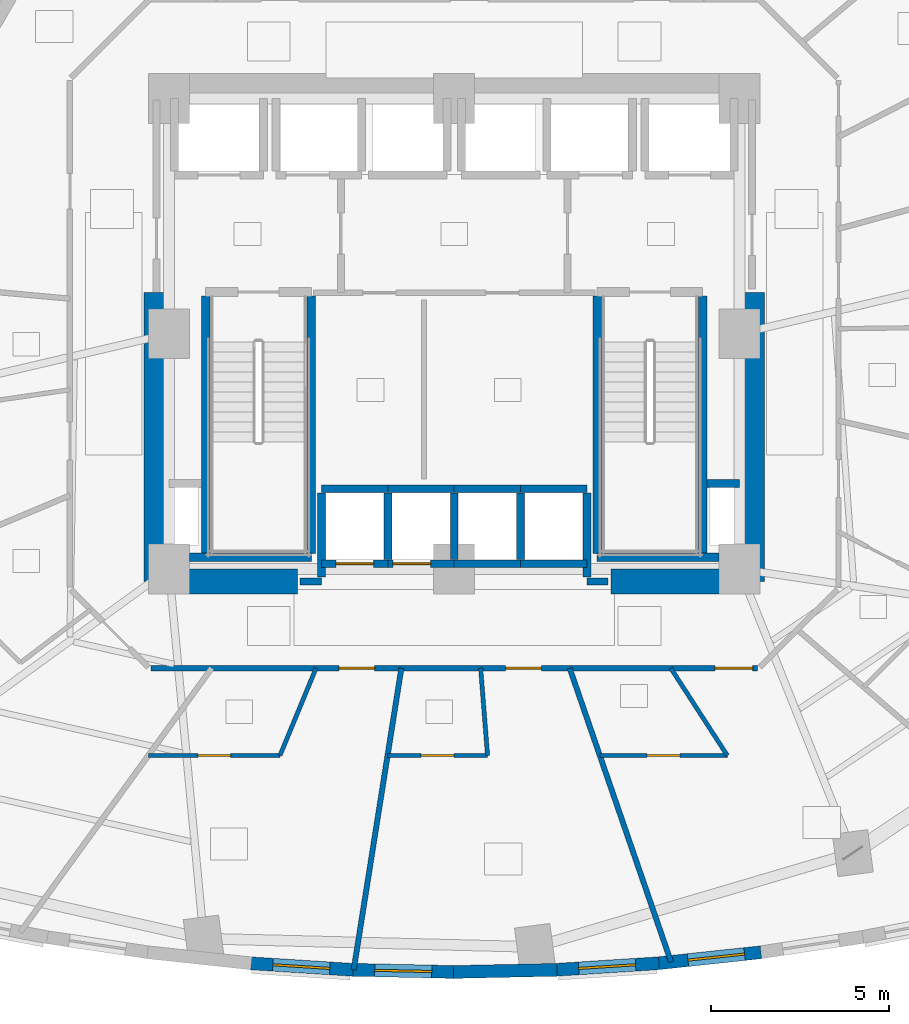
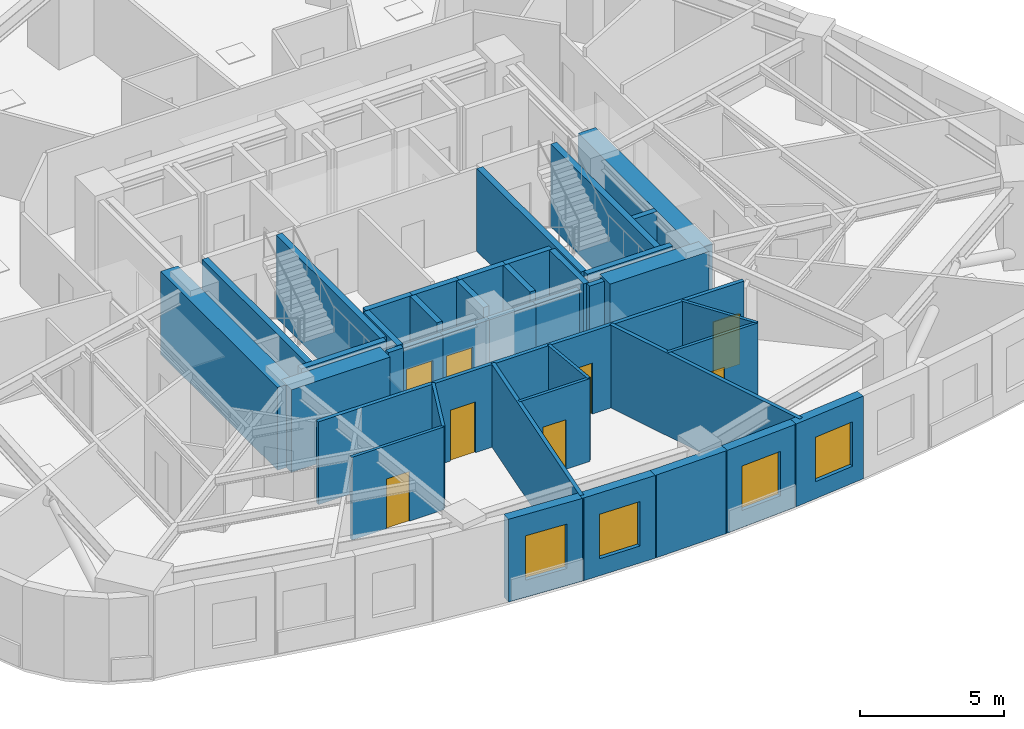
# One storey, part 6 of 13: 40 walls, 8 doors, 4 windows, 12 openings.
"""IFC4 building model written with IfcOpenShell, lengths in metres."""

from ifc_helpers import new_model, si_unit, direction, frame, frame_2d, origin, place, context, subcontext, project, spatial, rectangle, extrude, material, layer, layer_set, type_object, element, fill, save


model = new_model("IFC4")

# Units and contexts
model_context = context("Model", 3, precision=1e-05, world=origin(), true_north=direction((0.0, 1.0)))
body_context = subcontext(model_context, "Body", "Model", "MODEL_VIEW")
ifc_project = project(units=[si_unit("LENGTHUNIT", "METRE"), si_unit("AREAUNIT", "SQUARE_METRE"), si_unit("VOLUMEUNIT", "CUBIC_METRE"), si_unit("PLANEANGLEUNIT", "RADIAN"), si_unit("MASSUNIT", "GRAM", prefix="KILO")], contexts=[model_context])

# Site, building, storey
site_placement = place(None, origin())
site = spatial("IfcSite", under=ifc_project, at=site_placement, CompositionType="ELEMENT")
building_placement = place(site_placement, origin())
building = spatial("IfcBuilding", under=site, at=building_placement, Name="Ndelora Gate Hotel", CompositionType="ELEMENT")
storey_placement = place(building_placement, frame((0.0, 0.0, 34.25)))
storey = spatial("IfcBuildingStorey", under=building, at=storey_placement, Name="L07", CompositionType="ELEMENT", Elevation=34.25)

# Wall, opening, window
ifc_material_1 = material(Name="Clay Brick Masonry", Category="masonry")
ifc_layer_1 = layer(ifc_material_1, 0.360107421875)
ifc_layer_set_1 = layer_set([ifc_layer_1], Name="Clay Brick Masonry")
wall_type_1 = type_object("IfcWallType", Name="WL-BRICK-360", PredefinedType="SOLIDWALL", material=ifc_layer_set_1)
wall_1_placement = place(storey_placement, frame((-2.833984375, -17.844482421875, 0.0), z_axis=(0.0, 0.0, 1.0), x_axis=(-0.997950575381, 0.063989445203, 0.0)))
wall_1 = element("IfcWall", 1, at=wall_1_placement, inside=storey, type_object=wall_type_1, Name="L07 Tower Brick Pier-and-Spandrel Wall TWR-31", PredefinedType="SOLIDWALL", context=body_context, shape_type="SweptSolid", body=[
    extrude(rectangle(XDim=2.914794921875, YDim=0.360107421875, at=frame_2d((1.45751953125, 0.0))), origin(), (0.0, 0.0, 1.0), 3.5),
])
opening_1_placement = place(wall_1_placement, frame((0.657470703125, 0.0, 0.719970703125)))
opening_1 = element("IfcOpeningElement", 2, at=opening_1_placement, cuts=wall_1, Name="Opening W01", PredefinedType="OPENING", context=body_context, shape_type="SweptSolid", body=[
    extrude(rectangle(XDim=1.60009765625, YDim=1.8798828125, at=frame_2d((0.800048828125, 0.93994140625))), frame((0.0, 0.18994140625, 0.0), z_axis=(0.0, -1.0, 0.0), x_axis=(1.0, 0.0, 0.0)), (0.0, 0.0, 1.0), 0.380126953125),
])
ifc_material_2 = material(Name="Insulated Low-E Double Glazing in Bronze Aluminium Frame", Category="aluminium")
window_type = type_object("IfcWindowType", Name="WN-DEEP-1600", PartitioningType="SINGLE_PANEL", PredefinedType="WINDOW", material=ifc_material_2)
window_1_placement = place(opening_1_placement, origin())
window_1 = element("IfcWindow", 3, at=window_1_placement, inside=storey, type_object=window_type, Name="L07 Deep-Set Brick-Pier Window W01", OverallHeight=1.8798828125, OverallWidth=1.60009765625, PartitioningType="SINGLE_PANEL", PredefinedType="WINDOW", context=body_context, shape_type="SweptSolid", body=[
    extrude(rectangle(XDim=1.60009765625, YDim=1.8798828125, at=frame_2d((0.800048828125, 0.93994140625))), frame((0.0, 0.030029296875, 0.0), z_axis=(0.0, -1.0, 0.0), x_axis=(1.0, 0.0, 0.0)), (0.0, 0.0, 1.0), 0.06005859375),
])
fill(opening_1, window_1)

wall_2_placement = place(storey_placement, frame((0.02490234375, -17.904296875, 0.0), z_axis=(0.0, 0.0, 1.0), x_axis=(-0.999772855956, 0.021312824625, 0.0)))
wall_2 = element("IfcWall", 4, at=wall_2_placement, inside=storey, type_object=wall_type_1, Name="L07 Tower Brick Pier-and-Spandrel Wall TWR-32", PredefinedType="SOLIDWALL", context=body_context, shape_type="SweptSolid", body=[
    extrude(rectangle(XDim=2.90966796875, YDim=0.360107421875, at=frame_2d((1.454833984375, 0.0))), origin(), (0.0, 0.0, 1.0), 3.5),
])
opening_2_placement = place(wall_2_placement, frame((0.65478515625, 0.0, 0.719970703125)))
opening_2 = element("IfcOpeningElement", 5, at=opening_2_placement, cuts=wall_2, Name="Opening W01", PredefinedType="OPENING", context=body_context, shape_type="SweptSolid", body=[
    extrude(rectangle(XDim=1.60009765625, YDim=1.8798828125, at=frame_2d((0.800048828125, 0.93994140625))), frame((0.0, 0.18994140625, 0.0), z_axis=(0.0, -1.0, 0.0), x_axis=(1.0, 0.0, 0.0)), (0.0, 0.0, 1.0), 0.380126953125),
])
window_2_placement = place(opening_2_placement, origin())
window_2 = element("IfcWindow", 6, at=window_2_placement, inside=storey, type_object=window_type, Name="L07 Deep-Set Brick-Pier Window W01", OverallHeight=1.8798828125, OverallWidth=1.60009765625, PartitioningType="SINGLE_PANEL", PredefinedType="WINDOW", context=body_context, shape_type="SweptSolid", body=[
    extrude(rectangle(XDim=1.60009765625, YDim=1.8798828125, at=frame_2d((0.800048828125, 0.93994140625))), frame((0.0, 0.030029296875, 0.0), z_axis=(0.0, -1.0, 0.0), x_axis=(1.0, 0.0, 0.0)), (0.0, 0.0, 1.0), 0.06005859375),
])
fill(opening_2, window_2)

# Wall
wall_3_placement = place(storey_placement, frame((2.884033203125, -17.84228515625, 0.0), z_axis=(0.0, 0.0, 1.0), x_axis=(-0.999772855956, -0.021312824625, 0.0)))
element("IfcWall", 7, at=wall_3_placement, inside=storey, type_object=wall_type_1, Name="L07 Tower Brick Pier-and-Spandrel Wall TWR-33", PredefinedType="SOLIDWALL", context=body_context, shape_type="SweptSolid", body=[
    extrude(rectangle(XDim=2.90966796875, YDim=0.360107421875, at=frame_2d((1.454833984375, 0.0))), origin(), (0.0, 0.0, 1.0), 3.5),
])

# Wall, opening, window
wall_4_placement = place(storey_placement, frame((5.742919921875, -17.657958984375, 0.0), z_axis=(0.0, 0.0, 1.0), x_axis=(-0.997950575381, -0.063989445203, 0.0)))
wall_4 = element("IfcWall", 8, at=wall_4_placement, inside=storey, type_object=wall_type_1, Name="L07 Tower Brick Pier-and-Spandrel Wall TWR-34", PredefinedType="SOLIDWALL", context=body_context, shape_type="SweptSolid", body=[
    extrude(rectangle(XDim=2.914794921875, YDim=0.360107421875, at=frame_2d((1.45751953125, 0.0))), origin(), (0.0, 0.0, 1.0), 3.5),
])
opening_3_placement = place(wall_4_placement, frame((0.657470703125, 0.0, 0.719970703125)))
opening_3 = element("IfcOpeningElement", 9, at=opening_3_placement, cuts=wall_4, Name="Opening W01", PredefinedType="OPENING", context=body_context, shape_type="SweptSolid", body=[
    extrude(rectangle(XDim=1.60009765625, YDim=1.8798828125, at=frame_2d((0.800048828125, 0.93994140625))), frame((0.0, 0.18994140625, 0.0), z_axis=(0.0, -1.0, 0.0), x_axis=(1.0, 0.0, 0.0)), (0.0, 0.0, 1.0), 0.380126953125),
])
window_3_placement = place(opening_3_placement, origin())
window_3 = element("IfcWindow", 10, at=window_3_placement, inside=storey, type_object=window_type, Name="L07 Deep-Set Brick-Pier Window W01", OverallHeight=1.8798828125, OverallWidth=1.60009765625, PartitioningType="SINGLE_PANEL", PredefinedType="WINDOW", context=body_context, shape_type="SweptSolid", body=[
    extrude(rectangle(XDim=1.60009765625, YDim=1.8798828125, at=frame_2d((0.800048828125, 0.93994140625))), frame((0.0, 0.030029296875, 0.0), z_axis=(0.0, -1.0, 0.0), x_axis=(1.0, 0.0, 0.0)), (0.0, 0.0, 1.0), 0.06005859375),
])
fill(opening_3, window_3)

wall_5_placement = place(storey_placement, frame((8.60205078125, -17.351318359375, 0.0), z_axis=(0.0, 0.0, 1.0), x_axis=(-0.994340996166, -0.106235508864, 0.0)))
wall_5 = element("IfcWall", 11, at=wall_5_placement, inside=storey, type_object=wall_type_1, Name="L07 Tower Brick Pier-and-Spandrel Wall TWR-35", PredefinedType="SOLIDWALL", context=body_context, shape_type="SweptSolid", body=[
    extrude(rectangle(XDim=2.925537109375, YDim=0.360107421875, at=frame_2d((1.462890625, 0.0))), origin(), (0.0, 0.0, 1.0), 3.5),
])
opening_4_placement = place(wall_5_placement, frame((0.4599609375, 0.0, 0.719970703125)))
opening_4 = element("IfcOpeningElement", 12, at=opening_4_placement, cuts=wall_5, Name="Opening W01", PredefinedType="OPENING", context=body_context, shape_type="SweptSolid", body=[
    extrude(rectangle(XDim=1.60009765625, YDim=1.8798828125, at=frame_2d((0.800048828125, 0.93994140625))), frame((0.0, 0.18994140625, 0.0), z_axis=(0.0, -1.0, 0.0), x_axis=(1.0, 0.0, 0.0)), (0.0, 0.0, 1.0), 0.380126953125),
])
window_4_placement = place(opening_4_placement, origin())
window_4 = element("IfcWindow", 13, at=window_4_placement, inside=storey, type_object=window_type, Name="L07 Deep-Set Brick-Pier Window W01", OverallHeight=1.8798828125, OverallWidth=1.60009765625, PartitioningType="SINGLE_PANEL", PredefinedType="WINDOW", context=body_context, shape_type="SweptSolid", body=[
    extrude(rectangle(XDim=1.60009765625, YDim=1.8798828125, at=frame_2d((0.800048828125, 0.93994140625))), frame((0.0, 0.030029296875, 0.0), z_axis=(0.0, -1.0, 0.0), x_axis=(1.0, 0.0, 0.0)), (0.0, 0.0, 1.0), 0.06005859375),
])
fill(opening_4, window_4)

# Walls
ifc_material_3 = material(Name="Concrete C60/75", Category="concrete")
ifc_layer_2 = layer(ifc_material_3, 0.699951171875)
ifc_layer_set_2 = layer_set([ifc_layer_2], Name="Concrete C60/75")
wall_type_2 = type_object("IfcWallType", Name="WL-CORE-700", PredefinedType="SHEAR", material=ifc_layer_set_2)
for number, where, z_axis, x_axis, name in (
    (14, (-8.35009765625, -6.949951171875, 0.0), (0.0, 0.0, 1.0), (1.0, 0.0, 0.0), "L07 Core Shear Wall S-W"),
    (15, (4.39990234375, -6.949951171875, 0.0), (0.0, 0.0, 1.0), (1.0, 0.0, 0.0), "L07 Core Shear Wall S-E"),
):
    element("IfcWall", number, at=place(storey_placement, frame(where, z_axis=z_axis, x_axis=x_axis)), inside=storey, type_object=wall_type_2, Name=name, PredefinedType="SHEAR", context=body_context, shape_type="SweptSolid", body=[
        extrude(rectangle(XDim=3.9501953125, YDim=0.699951171875, at=frame_2d((1.97509765625, 0.0))), origin(), (0.0, 0.0, 1.0), 3.5),
    ])
for number, where, z_axis, x_axis, name in (
    (16, (-8.35009765625, -6.949951171875, 0.0), (0.0, 0.0, 1.0), (0.0, 1.0, 0.0), "L07 Core Shear Wall W"),
    (17, (8.35009765625, -6.949951171875, 0.0), (0.0, 0.0, 1.0), (0.0, 1.0, 0.0), "L07 Core Shear Wall E"),
):
    element("IfcWall", number, at=place(storey_placement, frame(where, z_axis=z_axis, x_axis=x_axis)), inside=storey, type_object=wall_type_2, Name=name, PredefinedType="SHEAR", context=body_context, shape_type="SweptSolid", body=[
        extrude(rectangle(XDim=8.099853515625, YDim=0.699951171875, at=frame_2d((4.0498046875, 0.0))), origin(), (0.0, 0.0, 1.0), 3.5),
    ])
ifc_material_4 = material(Name="Concrete C40/50", Category="concrete")
ifc_layer_3 = layer(ifc_material_4, 0.199951171875)
ifc_layer_set_3 = layer_set([ifc_layer_3], Name="Concrete C40/50")
wall_type_3 = type_object("IfcWallType", Name="WL-FIRE-200", PredefinedType="PARTITIONING", material=ifc_layer_set_3)
for number, where, z_axis, x_axis, name in (
    (18, (-4.320068359375, -6.949951171875, 0.0), (0.0, 0.0, 1.0), (1.0, 0.0, 0.0), "L07 Interior Wall IW-2"),
    (19, (3.719970703125, -6.949951171875, 0.0), (0.0, 0.0, 1.0), (1.0, 0.0, 0.0), "L07 Interior Wall IW-2"),
):
    element("IfcWall", number, at=place(storey_placement, frame(where, z_axis=z_axis, x_axis=x_axis)), inside=storey, type_object=wall_type_3, Name=name, PredefinedType="PARTITIONING", context=body_context, shape_type="SweptSolid", body=[
        extrude(rectangle(XDim=0.60009765625, YDim=0.199951171875, at=frame_2d((0.300048828125, 0.0))), origin(), (0.0, 0.0, 1.0), 3.5),
    ])

# Wall, openings, doors
ifc_material_5 = material(Name="Fire-Rated Gypsum Stud Partition", Category="gypsum")
ifc_layer_4 = layer(ifc_material_5, 0.14990234375)
ifc_layer_set_4 = layer_set([ifc_layer_4], Name="Fire-Rated Gypsum Stud Partition")
wall_type_4 = type_object("IfcWallType", Name="WL-PART-150", PredefinedType="PARTITIONING", material=ifc_layer_set_4)
wall_6_placement = place(storey_placement, frame((8.510009765625, -9.3798828125, 0.0), z_axis=(0.0, 0.0, 1.0), x_axis=(-1.0, 0.0, 0.0)))
wall_6 = element("IfcWall", 20, at=wall_6_placement, inside=storey, type_object=wall_type_4, Name="L07 Interior Wall IW-5", PredefinedType="PARTITIONING", context=body_context, shape_type="SweptSolid", body=[
    extrude(rectangle(XDim=17.02001953125, YDim=0.14990234375, at=frame_2d((8.510009765625, 0.0))), origin(), (0.0, 0.0, 1.0), 3.5),
])
opening_5_placement = place(wall_6_placement, frame((6.0654296875, 0.0, 0.0)))
opening_5 = element("IfcOpeningElement", 21, at=opening_5_placement, cuts=wall_6, Name="Opening D01", PredefinedType="OPENING", context=body_context, shape_type="SweptSolid", body=[
    extrude(rectangle(XDim=1.0, YDim=2.14990234375, at=frame_2d((0.5, 1.074951171875))), frame((0.0, 0.0849609375, 0.0), z_axis=(0.0, -1.0, 0.0), x_axis=(1.0, 0.0, 0.0)), (0.0, 0.0, 1.0), 0.169921875),
])
opening_6_placement = place(wall_6_placement, frame((10.745361328125, 0.0, 0.0)))
opening_6 = element("IfcOpeningElement", 22, at=opening_6_placement, cuts=wall_6, Name="Opening D01", PredefinedType="OPENING", context=body_context, shape_type="SweptSolid", body=[
    extrude(rectangle(XDim=1.0, YDim=2.14990234375, at=frame_2d((0.5, 1.074951171875))), frame((0.0, 0.0849609375, 0.0), z_axis=(0.0, -1.0, 0.0), x_axis=(1.0, 0.0, 0.0)), (0.0, 0.0, 1.0), 0.169921875),
])
opening_7_placement = place(wall_6_placement, frame((0.139892578125, 0.0, 0.0)))
opening_7 = element("IfcOpeningElement", 23, at=opening_7_placement, cuts=wall_6, Name="Opening D07", PredefinedType="OPENING", context=body_context, shape_type="SweptSolid", body=[
    extrude(rectangle(XDim=1.06005859375, YDim=2.14990234375, at=frame_2d((0.530029296875, 1.074951171875))), frame((0.0, 0.0849609375, 0.0), z_axis=(0.0, -1.0, 0.0), x_axis=(1.0, 0.0, 0.0)), (0.0, 0.0, 1.0), 0.169921875),
])
ifc_material_6 = material(Name="Acoustic Hardwood Guest Entrance Door", Category="wood")
door_type_1 = type_object("IfcDoorType", Name="DR-COR-1000", OperationType="SINGLE_SWING_LEFT", PredefinedType="DOOR", material=ifc_material_6)
door_1_placement = place(opening_5_placement, origin())
door_1 = element("IfcDoor", 24, at=door_1_placement, inside=storey, type_object=door_type_1, Name="L07 Executive King Guest Room 1007 Entrance Door", OperationType="SINGLE_SWING_LEFT", OverallHeight=2.14990234375, OverallWidth=1.0, PredefinedType="DOOR", context=body_context, shape_type="SweptSolid", body=[
    extrude(rectangle(XDim=1.0, YDim=2.14990234375, at=frame_2d((0.5, 1.074951171875))), frame((0.0, 0.02490234375, 0.0), z_axis=(0.0, -1.0, 0.0), x_axis=(1.0, 0.0, 0.0)), (0.0, 0.0, 1.0), 0.050048828125),
])
fill(opening_5, door_1)
door_2_placement = place(opening_6_placement, origin())
door_2 = element("IfcDoor", 25, at=door_2_placement, inside=storey, type_object=door_type_1, Name="L07 Superior Double Guest Room 1006 Entrance Door", OperationType="SINGLE_SWING_RIGHT", OverallHeight=2.14990234375, OverallWidth=1.0, PredefinedType="DOOR", context=body_context, shape_type="SweptSolid", body=[
    extrude(rectangle(XDim=1.0, YDim=2.14990234375, at=frame_2d((0.5, 1.074951171875))), frame((0.0, 0.02490234375, 0.0), z_axis=(0.0, -1.0, 0.0), x_axis=(1.0, 0.0, 0.0)), (0.0, 0.0, 1.0), 0.050048828125),
])
fill(opening_6, door_2)
ifc_material_7 = material(Name="Diplomatic Suite Acoustic Entrance Door", Category="wood")
door_type_2 = type_object("IfcDoorType", Name="DR-SUITE-1060", OperationType="SINGLE_SWING_LEFT", PredefinedType="DOOR", material=ifc_material_7)
door_3_placement = place(opening_7_placement, origin())
door_3 = element("IfcDoor", 26, at=door_3_placement, inside=storey, type_object=door_type_2, Name="L07 Corner Junior Suite 1008 Entrance Door", OperationType="SINGLE_SWING_LEFT", OverallHeight=2.14990234375, OverallWidth=1.06005859375, PredefinedType="DOOR", context=body_context, shape_type="SweptSolid", body=[
    extrude(rectangle(XDim=1.06005859375, YDim=2.14990234375, at=frame_2d((0.530029296875, 1.074951171875))), frame((0.0, 0.02490234375, 0.0), z_axis=(0.0, -1.0, 0.0), x_axis=(1.0, 0.0, 0.0)), (0.0, 0.0, 1.0), 0.050048828125),
])
fill(opening_7, door_3)

# Walls
wall_7_placement = place(storey_placement, frame((-1.482666015625, -9.3798828125, 0.0), z_axis=(0.0, 0.0, 1.0), x_axis=(-0.156108883171, -0.987739852692, 0.0)))
element("IfcWall", 27, at=wall_7_placement, inside=storey, type_object=wall_type_4, Name="L07 Interior Wall IW-5", PredefinedType="PARTITIONING", context=body_context, shape_type="SweptSolid", body=[
    extrude(rectangle(XDim=8.568603515625, YDim=0.14990234375, at=frame_2d((4.2841796875, 0.0))), origin(), (0.0, 0.0, 1.0), 3.5),
])
wall_8_placement = place(storey_placement, frame((3.237548828125, -9.3798828125, 0.0), z_axis=(0.0, 0.0, 1.0), x_axis=(0.326258220665, -0.945280685008, 0.0)))
element("IfcWall", 28, at=wall_8_placement, inside=storey, type_object=wall_type_4, Name="L07 Interior Wall IW-5", PredefinedType="PARTITIONING", context=body_context, shape_type="SweptSolid", body=[
    extrude(rectangle(XDim=8.7177734375, YDim=0.14990234375, at=frame_2d((4.35888671875, 0.0))), origin(), (0.0, 0.0, 1.0), 3.5),
])
ifc_layer_5 = layer(ifc_material_4, 0.219970703125)
ifc_layer_set_5 = layer_set([ifc_layer_5], Name="Concrete C40/50")
wall_type_5 = type_object("IfcWallType", Name="WL-SHAFT-220", PredefinedType="PARTITIONING", material=ifc_layer_set_5)
wall_9_placement = place(storey_placement, frame((7.090087890625, -4.199951171875, 0.0), z_axis=(0.0, 0.0, 1.0), x_axis=(1.0, 0.0, 0.0)))
element("IfcWall", 29, at=wall_9_placement, inside=storey, type_object=wall_type_5, Name="L07 Interior Wall IW-1", PredefinedType="PARTITIONING", context=body_context, shape_type="SweptSolid", body=[
    extrude(rectangle(XDim=0.909912109375, YDim=0.219970703125, at=frame_2d((0.455078125, 0.0))), origin(), (0.0, 0.0, 1.0), 3.5),
])

# Wall, opening, door
wall_10_placement = place(storey_placement, frame((-3.719970703125, -6.449951171875, 0.0), z_axis=(0.0, 0.0, 1.0), x_axis=(1.0, 0.0, 0.0)))
wall_10 = element("IfcWall", 30, at=wall_10_placement, inside=storey, type_object=wall_type_5, Name="L07 Interior Wall IW-1", PredefinedType="PARTITIONING", context=body_context, shape_type="SweptSolid", body=[
    extrude(rectangle(XDim=1.85986328125, YDim=0.219970703125, at=frame_2d((0.929931640625, 0.0))), origin(), (0.0, 0.0, 1.0), 3.080078125),
])
opening_8_placement = place(wall_10_placement, frame((0.39990234375, 0.0, 0.0)))
opening_8 = element("IfcOpeningElement", 31, at=opening_8_placement, cuts=wall_10, Name="Opening LD1", PredefinedType="OPENING", context=body_context, shape_type="SweptSolid", body=[
    extrude(rectangle(XDim=1.06005859375, YDim=2.14990234375, at=frame_2d((0.530029296875, 1.074951171875))), frame((0.0, 0.1201171875, 0.0), z_axis=(0.0, -1.0, 0.0), x_axis=(1.0, 0.0, 0.0)), (0.0, 0.0, 1.0), 0.239990234375),
])
ifc_material_8 = material(Name="Brushed Bronze Stainless Lift Landing Door", Category="metal")
door_type_3 = type_object("IfcDoorType", Name="DR-LD1", OperationType="DOUBLE_DOOR_SLIDING", PredefinedType="DOOR", material=ifc_material_8)
door_4_placement = place(opening_8_placement, origin())
door_4 = element("IfcDoor", 32, at=door_4_placement, inside=storey, type_object=door_type_3, Name="L07 Lift Landing Sliding Door P1A", OperationType="DOUBLE_DOOR_SLIDING", OverallHeight=2.14990234375, OverallWidth=1.06005859375, PredefinedType="DOOR", context=body_context, shape_type="SweptSolid", body=[
    extrude(rectangle(XDim=1.06005859375, YDim=2.14990234375, at=frame_2d((0.530029296875, 1.074951171875))), frame((0.0, 0.02490234375, 0.0), z_axis=(0.0, -1.0, 0.0), x_axis=(1.0, 0.0, 0.0)), (0.0, 0.0, 1.0), 0.050048828125),
])
fill(opening_8, door_4)

# Walls
wall_11_placement = place(storey_placement, frame((-3.719970703125, -4.35009765625, 0.0), z_axis=(0.0, 0.0, 1.0), x_axis=(1.0, 0.0, 0.0)))
element("IfcWall", 33, at=wall_11_placement, inside=storey, type_object=wall_type_5, Name="L07 Interior Wall IW-1", PredefinedType="PARTITIONING", context=body_context, shape_type="SweptSolid", body=[
    extrude(rectangle(XDim=1.85986328125, YDim=0.219970703125, at=frame_2d((0.929931640625, 0.0))), origin(), (0.0, 0.0, 1.0), 3.5),
])
wall_12_placement = place(storey_placement, frame((-3.719970703125, -6.830078125, 0.0), z_axis=(0.0, 0.0, 1.0), x_axis=(0.0, 1.0, 0.0)))
element("IfcWall", 34, at=wall_12_placement, inside=storey, type_object=wall_type_5, Name="L07 Interior Wall IW-1", PredefinedType="PARTITIONING", context=body_context, shape_type="SweptSolid", body=[
    extrude(rectangle(XDim=2.360107421875, YDim=0.219970703125, at=frame_2d((1.18017578125, 0.0))), origin(), (0.0, 0.0, 1.0), 3.5),
])
wall_13_placement = place(storey_placement, frame((-1.860107421875, -6.330078125, 0.0), z_axis=(0.0, 0.0, 1.0), x_axis=(0.0, 1.0, 0.0)))
element("IfcWall", 35, at=wall_13_placement, inside=storey, type_object=wall_type_5, Name="L07 Interior Wall IW-1", PredefinedType="PARTITIONING", context=body_context, shape_type="SweptSolid", body=[
    extrude(rectangle(XDim=1.860107421875, YDim=0.219970703125, at=frame_2d((0.93017578125, 0.0))), origin(), (0.0, 0.0, 1.0), 3.5),
])

# Wall, opening, door
wall_14_placement = place(storey_placement, frame((-1.860107421875, -6.449951171875, 0.0), z_axis=(0.0, 0.0, 1.0), x_axis=(1.0, 0.0, 0.0)))
wall_14 = element("IfcWall", 36, at=wall_14_placement, inside=storey, type_object=wall_type_5, Name="L07 Interior Wall IW-1", PredefinedType="PARTITIONING", context=body_context, shape_type="SweptSolid", body=[
    extrude(rectangle(XDim=1.860107421875, YDim=0.219970703125, at=frame_2d((0.93017578125, 0.0))), origin(), (0.0, 0.0, 1.0), 3.080078125),
])
opening_9_placement = place(wall_14_placement, frame((0.139892578125, 0.0, 0.0)))
opening_9 = element("IfcOpeningElement", 37, at=opening_9_placement, cuts=wall_14, Name="Opening LD1", PredefinedType="OPENING", context=body_context, shape_type="SweptSolid", body=[
    extrude(rectangle(XDim=1.06005859375, YDim=2.14990234375, at=frame_2d((0.530029296875, 1.074951171875))), frame((0.0, 0.1201171875, 0.0), z_axis=(0.0, -1.0, 0.0), x_axis=(1.0, 0.0, 0.0)), (0.0, 0.0, 1.0), 0.239990234375),
])
door_5_placement = place(opening_9_placement, origin())
door_5 = element("IfcDoor", 38, at=door_5_placement, inside=storey, type_object=door_type_3, Name="L07 Lift Landing Sliding Door P1B", OperationType="DOUBLE_DOOR_SLIDING", OverallHeight=2.14990234375, OverallWidth=1.06005859375, PredefinedType="DOOR", context=body_context, shape_type="SweptSolid", body=[
    extrude(rectangle(XDim=1.06005859375, YDim=2.14990234375, at=frame_2d((0.530029296875, 1.074951171875))), frame((0.0, 0.02490234375, 0.0), z_axis=(0.0, -1.0, 0.0), x_axis=(1.0, 0.0, 0.0)), (0.0, 0.0, 1.0), 0.050048828125),
])
fill(opening_9, door_5)

# Walls
for number, where, z_axis, x_axis, name in (
    (39, (-1.860107421875, -4.35009765625, 0.0), (0.0, 0.0, 1.0), (1.0, 0.0, 0.0), "L07 Interior Wall IW-1"),
    (40, (0.0, -6.330078125, 0.0), (0.0, 0.0, 1.0), (0.0, 1.0, 0.0), "L07 Interior Wall IW-1"),
):
    element("IfcWall", number, at=place(storey_placement, frame(where, z_axis=z_axis, x_axis=x_axis)), inside=storey, type_object=wall_type_5, Name=name, PredefinedType="PARTITIONING", context=body_context, shape_type="SweptSolid", body=[
        extrude(rectangle(XDim=1.860107421875, YDim=0.219970703125, at=frame_2d((0.93017578125, 0.0))), origin(), (0.0, 0.0, 1.0), 3.5),
    ])
wall_15_placement = place(storey_placement, frame((0.0, -6.449951171875, 0.0), z_axis=(0.0, 0.0, 1.0), x_axis=(1.0, 0.0, 0.0)))
element("IfcWall", 41, at=wall_15_placement, inside=storey, type_object=wall_type_5, Name="L07 Interior Wall IW-1", PredefinedType="PARTITIONING", context=body_context, shape_type="SweptSolid", body=[
    extrude(rectangle(XDim=1.860107421875, YDim=0.219970703125, at=frame_2d((0.93017578125, 0.0))), origin(), (0.0, 0.0, 1.0), 3.080078125),
])
for number, where, z_axis, x_axis, name in (
    (42, (0.0, -4.35009765625, 0.0), (0.0, 0.0, 1.0), (1.0, 0.0, 0.0), "L07 Interior Wall IW-1"),
    (43, (1.860107421875, -6.330078125, 0.0), (0.0, 0.0, 1.0), (0.0, 1.0, 0.0), "L07 Interior Wall IW-1"),
):
    element("IfcWall", number, at=place(storey_placement, frame(where, z_axis=z_axis, x_axis=x_axis)), inside=storey, type_object=wall_type_5, Name=name, PredefinedType="PARTITIONING", context=body_context, shape_type="SweptSolid", body=[
        extrude(rectangle(XDim=1.860107421875, YDim=0.219970703125, at=frame_2d((0.93017578125, 0.0))), origin(), (0.0, 0.0, 1.0), 3.5),
    ])
wall_16_placement = place(storey_placement, frame((1.860107421875, -6.449951171875, 0.0), z_axis=(0.0, 0.0, 1.0), x_axis=(1.0, 0.0, 0.0)))
element("IfcWall", 44, at=wall_16_placement, inside=storey, type_object=wall_type_5, Name="L07 Interior Wall IW-1", PredefinedType="PARTITIONING", context=body_context, shape_type="SweptSolid", body=[
    extrude(rectangle(XDim=1.85986328125, YDim=0.219970703125, at=frame_2d((0.929931640625, 0.0))), origin(), (0.0, 0.0, 1.0), 3.080078125),
])
wall_17_placement = place(storey_placement, frame((1.860107421875, -4.35009765625, 0.0), z_axis=(0.0, 0.0, 1.0), x_axis=(1.0, 0.0, 0.0)))
element("IfcWall", 45, at=wall_17_placement, inside=storey, type_object=wall_type_5, Name="L07 Interior Wall IW-1", PredefinedType="PARTITIONING", context=body_context, shape_type="SweptSolid", body=[
    extrude(rectangle(XDim=1.85986328125, YDim=0.219970703125, at=frame_2d((0.929931640625, 0.0))), origin(), (0.0, 0.0, 1.0), 3.5),
])
wall_18_placement = place(storey_placement, frame((3.719970703125, -6.830078125, 0.0), z_axis=(0.0, 0.0, 1.0), x_axis=(0.0, 1.0, 0.0)))
element("IfcWall", 46, at=wall_18_placement, inside=storey, type_object=wall_type_5, Name="L07 Interior Wall IW-1", PredefinedType="PARTITIONING", context=body_context, shape_type="SweptSolid", body=[
    extrude(rectangle(XDim=2.360107421875, YDim=0.219970703125, at=frame_2d((1.18017578125, 0.0))), origin(), (0.0, 0.0, 1.0), 3.5),
])
ifc_material_9 = material(Name="Concrete C50/60", Category="concrete")
ifc_layer_6 = layer(ifc_material_9, 0.239990234375)
ifc_layer_set_6 = layer_set([ifc_layer_6], Name="Concrete C50/60")
wall_type_6 = type_object("IfcWallType", Name="WL-STAIR-240", PredefinedType="SHEAR", material=ifc_layer_set_6)
wall_19_placement = place(storey_placement, frame((-6.969970703125, -6.159912109375, 0.0), z_axis=(0.0, 0.0, 1.0), x_axis=(0.0, 1.0, 0.0)))
element("IfcWall", 47, at=wall_19_placement, inside=storey, type_object=wall_type_6, Name="L07 Stair Core Shear Wall SW-ST", PredefinedType="SHEAR", context=body_context, shape_type="SweptSolid", body=[
    extrude(rectangle(XDim=7.219970703125, YDim=0.239990234375, at=frame_2d((3.60986328125, 0.0))), origin(), (0.0, 0.0, 1.0), 3.5),
])
wall_20_placement = place(storey_placement, frame((-7.425048828125, -6.27001953125, 0.0), z_axis=(0.0, 0.0, 1.0), x_axis=(1.0, 0.0, 0.0)))
element("IfcWall", 48, at=wall_20_placement, inside=storey, type_object=wall_type_6, Name="L07 Stair Core Shear Wall SW-ST", PredefinedType="SHEAR", context=body_context, shape_type="SweptSolid", body=[
    extrude(rectangle(XDim=3.4150390625, YDim=0.239990234375, at=frame_2d((1.70751953125, 0.0))), origin(), (0.0, 0.0, 1.0), 3.5),
])
for number, where, z_axis, x_axis, name in (
    (49, (-4.010009765625, -6.159912109375, 0.0), (0.0, 0.0, 1.0), (0.0, 1.0, 0.0), "L07 Stair Core Shear Wall SW-ST"),
    (50, (4.010009765625, -6.159912109375, 0.0), (0.0, 0.0, 1.0), (0.0, 1.0, 0.0), "L07 Stair Core Shear Wall SW-ST"),
    (51, (6.969970703125, -6.159912109375, 0.0), (0.0, 0.0, 1.0), (0.0, 1.0, 0.0), "L07 Stair Core Shear Wall SW-ST"),
):
    element("IfcWall", number, at=place(storey_placement, frame(where, z_axis=z_axis, x_axis=x_axis)), inside=storey, type_object=wall_type_6, Name=name, PredefinedType="SHEAR", context=body_context, shape_type="SweptSolid", body=[
        extrude(rectangle(XDim=7.219970703125, YDim=0.239990234375, at=frame_2d((3.60986328125, 0.0))), origin(), (0.0, 0.0, 1.0), 3.5),
    ])
wall_21_placement = place(storey_placement, frame((4.010009765625, -6.27001953125, 0.0), z_axis=(0.0, 0.0, 1.0), x_axis=(1.0, 0.0, 0.0)))
element("IfcWall", 52, at=wall_21_placement, inside=storey, type_object=wall_type_6, Name="L07 Stair Core Shear Wall SW-ST", PredefinedType="SHEAR", context=body_context, shape_type="SweptSolid", body=[
    extrude(rectangle(XDim=3.4150390625, YDim=0.239990234375, at=frame_2d((1.70751953125, 0.0))), origin(), (0.0, 0.0, 1.0), 3.5),
])
ifc_material_10 = material(Name="Moisture-Resistant Bathroom Tile Partition", Category="gypsum")
ifc_layer_7 = layer(ifc_material_10, 0.1201171875)
ifc_layer_set_7 = layer_set([ifc_layer_7], Name="Moisture-Resistant Bathroom Tile Partition")
wall_type_7 = type_object("IfcWallType", Name="WL-WET-120", PredefinedType="PARTITIONING", material=ifc_layer_set_7)
wall_22_placement = place(storey_placement, frame((-4.887939453125, -11.830078125, 0.0), z_axis=(0.0, 0.0, 1.0), x_axis=(0.381814881219, 0.924238820046, 0.0)))
element("IfcWall", 53, at=wall_22_placement, inside=storey, type_object=wall_type_7, Name="L07 Interior Wall IW-7", PredefinedType="PARTITIONING", context=body_context, shape_type="SweptSolid", body=[
    extrude(rectangle(XDim=2.651123046875, YDim=0.1201171875, at=frame_2d((1.32568359375, 0.0))), origin(), (0.0, 0.0, 1.0), 3.5),
])

# Wall, opening, door
wall_23_placement = place(storey_placement, frame((-4.887939453125, -11.830078125, 0.0), z_axis=(0.0, 0.0, 1.0), x_axis=(-1.0, 0.0, 0.0)))
wall_23 = element("IfcWall", 54, at=wall_23_placement, inside=storey, type_object=wall_type_7, Name="L07 Interior Wall IW-7", PredefinedType="PARTITIONING", context=body_context, shape_type="SweptSolid", body=[
    extrude(rectangle(XDim=3.691162109375, YDim=0.1201171875, at=frame_2d((1.845703125, 0.0))), origin(), (0.0, 0.0, 1.0), 3.5),
])
opening_10_placement = place(wall_23_placement, frame((1.385498046875, 0.0, 0.0)))
opening_10 = element("IfcOpeningElement", 55, at=opening_10_placement, cuts=wall_23, Name="Opening D03", PredefinedType="OPENING", context=body_context, shape_type="SweptSolid", body=[
    extrude(rectangle(XDim=0.919921875, YDim=2.10009765625, at=frame_2d((0.4599609375, 1.050048828125))), frame((0.0, 0.070068359375, 0.0), z_axis=(0.0, -1.0, 0.0), x_axis=(1.0, 0.0, 0.0)), (0.0, 0.0, 1.0), 0.14013671875),
])
ifc_material_11 = material(Name="Moisture-Resistant Hardwood En-Suite Door", Category="wood")
door_type_4 = type_object("IfcDoorType", Name="DR-BATH-920", OperationType="SINGLE_SWING_LEFT", PredefinedType="DOOR", material=ifc_material_11)
door_6_placement = place(opening_10_placement, origin())
door_6 = element("IfcDoor", 56, at=door_6_placement, inside=storey, type_object=door_type_4, Name="L07 En-suite Bathroom 1006 Door", OperationType="SINGLE_SWING_LEFT", OverallHeight=2.10009765625, OverallWidth=0.919921875, PredefinedType="DOOR", context=body_context, shape_type="SweptSolid", body=[
    extrude(rectangle(XDim=0.919921875, YDim=2.10009765625, at=frame_2d((0.4599609375, 1.050048828125))), frame((0.0, 0.02490234375, 0.0), z_axis=(0.0, -1.0, 0.0), x_axis=(1.0, 0.0, 0.0)), (0.0, 0.0, 1.0), 0.050048828125),
])
fill(opening_10, door_6)

# Wall
wall_24_placement = place(storey_placement, frame((0.7412109375, -9.3798828125, 0.0), z_axis=(0.0, 0.0, 1.0), x_axis=(0.078770028052, -0.996892814038, 0.0)))
element("IfcWall", 57, at=wall_24_placement, inside=storey, type_object=wall_type_7, Name="L07 Interior Wall IW-7", PredefinedType="PARTITIONING", context=body_context, shape_type="SweptSolid", body=[
    extrude(rectangle(XDim=2.457763671875, YDim=0.1201171875, at=frame_2d((1.22900390625, 0.0))), origin(), (0.0, 0.0, 1.0), 3.5),
])

# Wall, opening, door
wall_25_placement = place(storey_placement, frame((0.934814453125, -11.830078125, 0.0), z_axis=(0.0, 0.0, 1.0), x_axis=(-1.0, 0.0, 0.0)))
wall_25 = element("IfcWall", 58, at=wall_25_placement, inside=storey, type_object=wall_type_7, Name="L07 Interior Wall IW-7", PredefinedType="PARTITIONING", context=body_context, shape_type="SweptSolid", body=[
    extrude(rectangle(XDim=2.8046875, YDim=0.1201171875, at=frame_2d((1.40234375, 0.0))), origin(), (0.0, 0.0, 1.0), 3.5),
])
opening_11_placement = place(wall_25_placement, frame((0.9423828125, 0.0, 0.0)))
opening_11 = element("IfcOpeningElement", 59, at=opening_11_placement, cuts=wall_25, Name="Opening D03", PredefinedType="OPENING", context=body_context, shape_type="SweptSolid", body=[
    extrude(rectangle(XDim=0.919921875, YDim=2.10009765625, at=frame_2d((0.4599609375, 1.050048828125))), frame((0.0, 0.070068359375, 0.0), z_axis=(0.0, -1.0, 0.0), x_axis=(1.0, 0.0, 0.0)), (0.0, 0.0, 1.0), 0.14013671875),
])
door_7_placement = place(opening_11_placement, origin())
door_7 = element("IfcDoor", 60, at=door_7_placement, inside=storey, type_object=door_type_4, Name="L07 En-suite Bathroom 1007 Door", OperationType="SINGLE_SWING_RIGHT", OverallHeight=2.10009765625, OverallWidth=0.919921875, PredefinedType="DOOR", context=body_context, shape_type="SweptSolid", body=[
    extrude(rectangle(XDim=0.919921875, YDim=2.10009765625, at=frame_2d((0.4599609375, 1.050048828125))), frame((0.0, 0.02490234375, 0.0), z_axis=(0.0, -1.0, 0.0), x_axis=(1.0, 0.0, 0.0)), (0.0, 0.0, 1.0), 0.050048828125),
])
fill(opening_11, door_7)

# Wall
wall_26_placement = place(storey_placement, frame((6.073974609375, -9.3798828125, 0.0), z_axis=(0.0, 0.0, 1.0), x_axis=(0.543494016026, -0.839413041681, 0.0)))
element("IfcWall", 61, at=wall_26_placement, inside=storey, type_object=wall_type_7, Name="L07 Interior Wall IW-7", PredefinedType="PARTITIONING", context=body_context, shape_type="SweptSolid", body=[
    extrude(rectangle(XDim=2.9189453125, YDim=0.1201171875, at=frame_2d((1.45947265625, 0.0))), origin(), (0.0, 0.0, 1.0), 3.5),
])

# Wall, opening, door
wall_27_placement = place(storey_placement, frame((7.660400390625, -11.830078125, 0.0), z_axis=(0.0, 0.0, 1.0), x_axis=(-1.0, 0.0, 0.0)))
wall_27 = element("IfcWall", 62, at=wall_27_placement, inside=storey, type_object=wall_type_7, Name="L07 Interior Wall IW-7", PredefinedType="PARTITIONING", context=body_context, shape_type="SweptSolid", body=[
    extrude(rectangle(XDim=3.577392578125, YDim=0.1201171875, at=frame_2d((1.78857421875, 0.0))), origin(), (0.0, 0.0, 1.0), 3.5),
])
opening_12_placement = place(wall_27_placement, frame((1.32861328125, 0.0, 0.0)))
opening_12 = element("IfcOpeningElement", 63, at=opening_12_placement, cuts=wall_27, Name="Opening D03", PredefinedType="OPENING", context=body_context, shape_type="SweptSolid", body=[
    extrude(rectangle(XDim=0.919921875, YDim=2.10009765625, at=frame_2d((0.4599609375, 1.050048828125))), frame((0.0, 0.070068359375, 0.0), z_axis=(0.0, -1.0, 0.0), x_axis=(1.0, 0.0, 0.0)), (0.0, 0.0, 1.0), 0.14013671875),
])
door_8_placement = place(opening_12_placement, origin())
door_8 = element("IfcDoor", 64, at=door_8_placement, inside=storey, type_object=door_type_4, Name="L07 En-suite Bathroom 1008 Door", OperationType="SINGLE_SWING_LEFT", OverallHeight=2.10009765625, OverallWidth=0.919921875, PredefinedType="DOOR", context=body_context, shape_type="SweptSolid", body=[
    extrude(rectangle(XDim=0.919921875, YDim=2.10009765625, at=frame_2d((0.4599609375, 1.050048828125))), frame((0.0, 0.02490234375, 0.0), z_axis=(0.0, -1.0, 0.0), x_axis=(1.0, 0.0, 0.0)), (0.0, 0.0, 1.0), 0.050048828125),
])
fill(opening_12, door_8)

save(model, "model.ifc")
